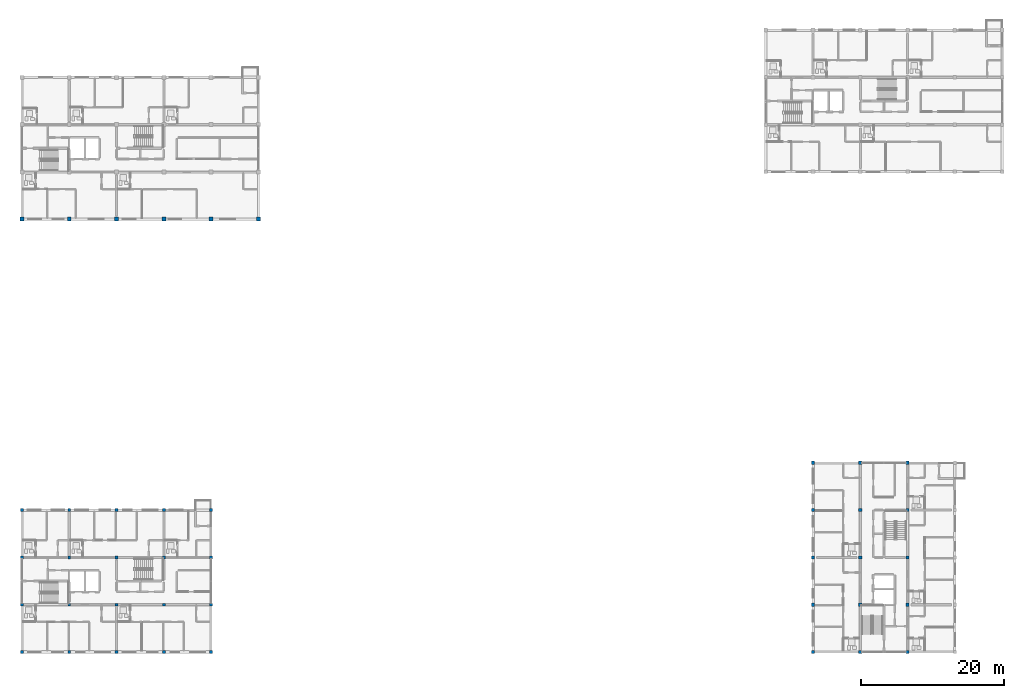
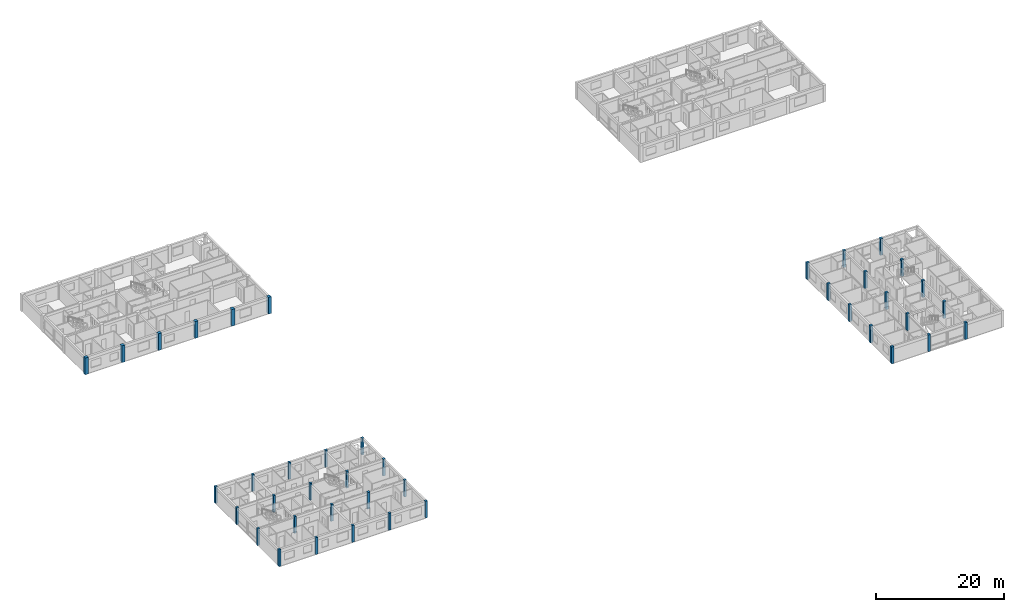
# One storey, part 1 of 45: 41 columns.
"""IFC4 building model written with IfcOpenShell, lengths in metres."""

from ifc_helpers import new_model, si_unit, direction, frame, origin, origin_2d, place, context, subcontext, project, spatial, rectangle, extrude, material, material_profile, profile_set, type_object, element, save


model = new_model("IFC4")

# Units and contexts
model_context = context("Model", 3, precision=1e-05, world=origin(), true_north=direction((0.0, 1.0)))
body_context = subcontext(model_context, "Body", "Model", "MODEL_VIEW")
ifc_project = project(units=[si_unit("LENGTHUNIT", "METRE"), si_unit("AREAUNIT", "SQUARE_METRE"), si_unit("VOLUMEUNIT", "CUBIC_METRE"), si_unit("PLANEANGLEUNIT", "RADIAN"), si_unit("MASSUNIT", "GRAM", prefix="KILO")], contexts=[model_context])

# Site, building, storey
site_placement = place(None, origin())
site = spatial("IfcSite", under=ifc_project, at=site_placement, CompositionType="ELEMENT")
building_placement = place(site_placement, origin())
building = spatial("IfcBuilding", under=site, at=building_placement, Name="Kernevlak Ridge Housing Community", CompositionType="ELEMENT")
storey_placement = place(building_placement, frame((0.0, 0.0, 14.800048828125)))
storey = spatial("IfcBuildingStorey", under=building, at=storey_placement, Name="L04", CompositionType="ELEMENT", Elevation=14.800048828125)

# Columns
ifc_material_1 = material(Name="Concrete C40/50", Category="concrete")
ifc_material_profile_1 = material_profile(ifc_material_1, rectangle(XDim=0.550048828125, YDim=0.550048828125, at=origin_2d()), Name="RC 550x550")
ifc_profile_set_1 = profile_set([ifc_material_profile_1], Name="Concrete C40/50")
column_type_1 = type_object("IfcColumnType", Name="C-02", PredefinedType="COLUMN", material=ifc_profile_set_1)
for number, where, z_axis, x_axis, name in (
    (1, (15.60009765625, 76.0, 0.0), (0.0, 0.0, 1.0), (1.0, 0.0, 0.0), "Column C-02 COL-A-L04-00-0"),
    (2, (22.199951171875, 76.0, 0.0), (0.0, 0.0, 1.0), (1.0, 0.0, 0.0), "Column C-02 COL-A-L04-01-0"),
    (3, (28.800048828125, 76.0, 0.0), (0.0, 0.0, 1.0), (1.0, 0.0, 0.0), "Column C-02 COL-A-L04-02-0"),
    (4, (35.39990234375, 76.0, 0.0), (0.0, 0.0, 1.0), (1.0, 0.0, 0.0), "Column C-02 COL-A-L04-03-0"),
    (5, (42.0, 76.0, 0.0), (0.0, 0.0, 1.0), (1.0, 0.0, 0.0), "Column C-02 COL-A-L04-04-0"),
    (6, (48.60009765625, 76.0, 0.0), (0.0, 0.0, 1.0), (1.0, 0.0, 0.0), "Column C-02 COL-A-L04-05-0"),
):
    element("IfcColumn", number, at=place(storey_placement, frame(where, z_axis=z_axis, x_axis=x_axis)), inside=storey, type_object=column_type_1, Name=name, PredefinedType="COLUMN", context=body_context, shape_type="SweptSolid", body=[
        extrude(rectangle(XDim=0.550048828125, YDim=0.550048828125, at=origin_2d()), origin(), (0.0, 0.0, 1.0), 3.199951171875),
    ])
ifc_material_2 = material(Name="Concrete C35/45", Category="concrete")
ifc_material_profile_2 = material_profile(ifc_material_2, rectangle(XDim=0.449951171875, YDim=0.449951171875, at=origin_2d()), Name="RC 450x450")
ifc_profile_set_2 = profile_set([ifc_material_profile_2], Name="Concrete C35/45")
column_type_2 = type_object("IfcColumnType", Name="C-04", PredefinedType="COLUMN", material=ifc_profile_set_2)
for number, where, z_axis, x_axis, name in (
    (7, (126.0, 15.60009765625, 0.0), (0.0, 0.0, 1.0), (1.0, 0.0, 0.0), "Column C-04 COL-C-L04-00-0"),
    (8, (132.60009765625, 15.60009765625, 0.0), (0.0, 0.0, 1.0), (1.0, 0.0, 0.0), "Column C-04 COL-C-L04-00-1"),
    (9, (139.199951171875, 15.60009765625, 0.0), (0.0, 0.0, 1.0), (1.0, 0.0, 0.0), "Column C-04 COL-C-L04-00-2"),
    (10, (126.0, 22.199951171875, 0.0), (0.0, 0.0, 1.0), (1.0, 0.0, 0.0), "Column C-04 COL-C-L04-01-0"),
    (11, (132.60009765625, 22.199951171875, 0.0), (0.0, 0.0, 1.0), (1.0, 0.0, 0.0), "Column C-04 COL-C-L04-01-1"),
    (12, (139.199951171875, 22.199951171875, 0.0), (0.0, 0.0, 1.0), (1.0, 0.0, 0.0), "Column C-04 COL-C-L04-01-2"),
    (13, (126.0, 28.800048828125, 0.0), (0.0, 0.0, 1.0), (1.0, 0.0, 0.0), "Column C-04 COL-C-L04-02-0"),
    (14, (132.60009765625, 28.800048828125, 0.0), (0.0, 0.0, 1.0), (1.0, 0.0, 0.0), "Column C-04 COL-C-L04-02-1"),
    (15, (139.199951171875, 28.800048828125, 0.0), (0.0, 0.0, 1.0), (1.0, 0.0, 0.0), "Column C-04 COL-C-L04-02-2"),
    (16, (126.0, 35.39990234375, 0.0), (0.0, 0.0, 1.0), (1.0, 0.0, 0.0), "Column C-04 COL-C-L04-03-0"),
    (17, (132.60009765625, 35.39990234375, 0.0), (0.0, 0.0, 1.0), (1.0, 0.0, 0.0), "Column C-04 COL-C-L04-03-1"),
    (18, (139.199951171875, 35.39990234375, 0.0), (0.0, 0.0, 1.0), (1.0, 0.0, 0.0), "Column C-04 COL-C-L04-03-2"),
    (19, (126.0, 42.0, 0.0), (0.0, 0.0, 1.0), (1.0, 0.0, 0.0), "Column C-04 COL-C-L04-04-0"),
    (20, (132.60009765625, 42.0, 0.0), (0.0, 0.0, 1.0), (1.0, 0.0, 0.0), "Column C-04 COL-C-L04-04-1"),
    (21, (139.199951171875, 42.0, 0.0), (0.0, 0.0, 1.0), (1.0, 0.0, 0.0), "Column C-04 COL-C-L04-04-2"),
):
    element("IfcColumn", number, at=place(storey_placement, frame(where, z_axis=z_axis, x_axis=x_axis)), inside=storey, type_object=column_type_2, Name=name, PredefinedType="COLUMN", context=body_context, shape_type="SweptSolid", body=[
        extrude(rectangle(XDim=0.449951171875, YDim=0.449951171875, at=origin_2d()), origin(), (0.0, 0.0, 1.0), 3.199951171875),
    ])
ifc_material_profile_3 = material_profile(ifc_material_2, rectangle(XDim=0.39990234375, YDim=0.39990234375, at=origin_2d()), Name="RC 400x400")
ifc_profile_set_3 = profile_set([ifc_material_profile_3], Name="Concrete C35/45")
column_type_3 = type_object("IfcColumnType", Name="C-05", PredefinedType="COLUMN", material=ifc_profile_set_3)
for number, where, z_axis, x_axis, name in (
    (22, (15.60009765625, 15.60009765625, 0.0), (0.0, 0.0, 1.0), (1.0, 0.0, 0.0), "Column C-05 COL-D-L04-00-0"),
    (23, (15.60009765625, 22.199951171875, 0.0), (0.0, 0.0, 1.0), (1.0, 0.0, 0.0), "Column C-05 COL-D-L04-00-1"),
    (24, (15.60009765625, 28.800048828125, 0.0), (0.0, 0.0, 1.0), (1.0, 0.0, 0.0), "Column C-05 COL-D-L04-00-2"),
    (25, (15.60009765625, 35.39990234375, 0.0), (0.0, 0.0, 1.0), (1.0, 0.0, 0.0), "Column C-05 COL-D-L04-00-3"),
    (26, (22.199951171875, 15.60009765625, 0.0), (0.0, 0.0, 1.0), (1.0, 0.0, 0.0), "Column C-05 COL-D-L04-01-0"),
    (27, (22.199951171875, 22.199951171875, 0.0), (0.0, 0.0, 1.0), (1.0, 0.0, 0.0), "Column C-05 COL-D-L04-01-1"),
    (28, (22.199951171875, 28.800048828125, 0.0), (0.0, 0.0, 1.0), (1.0, 0.0, 0.0), "Column C-05 COL-D-L04-01-2"),
    (29, (22.199951171875, 35.39990234375, 0.0), (0.0, 0.0, 1.0), (1.0, 0.0, 0.0), "Column C-05 COL-D-L04-01-3"),
    (30, (28.800048828125, 15.60009765625, 0.0), (0.0, 0.0, 1.0), (1.0, 0.0, 0.0), "Column C-05 COL-D-L04-02-0"),
    (31, (28.800048828125, 22.199951171875, 0.0), (0.0, 0.0, 1.0), (1.0, 0.0, 0.0), "Column C-05 COL-D-L04-02-1"),
    (32, (28.800048828125, 28.800048828125, 0.0), (0.0, 0.0, 1.0), (1.0, 0.0, 0.0), "Column C-05 COL-D-L04-02-2"),
    (33, (28.800048828125, 35.39990234375, 0.0), (0.0, 0.0, 1.0), (1.0, 0.0, 0.0), "Column C-05 COL-D-L04-02-3"),
    (34, (35.39990234375, 15.60009765625, 0.0), (0.0, 0.0, 1.0), (1.0, 0.0, 0.0), "Column C-05 COL-D-L04-03-0"),
    (35, (35.39990234375, 22.199951171875, 0.0), (0.0, 0.0, 1.0), (1.0, 0.0, 0.0), "Column C-05 COL-D-L04-03-1"),
    (36, (35.39990234375, 28.800048828125, 0.0), (0.0, 0.0, 1.0), (1.0, 0.0, 0.0), "Column C-05 COL-D-L04-03-2"),
    (37, (35.39990234375, 35.39990234375, 0.0), (0.0, 0.0, 1.0), (1.0, 0.0, 0.0), "Column C-05 COL-D-L04-03-3"),
    (38, (42.0, 15.60009765625, 0.0), (0.0, 0.0, 1.0), (1.0, 0.0, 0.0), "Column C-05 COL-D-L04-04-0"),
    (39, (42.0, 22.199951171875, 0.0), (0.0, 0.0, 1.0), (1.0, 0.0, 0.0), "Column C-05 COL-D-L04-04-1"),
    (40, (42.0, 28.800048828125, 0.0), (0.0, 0.0, 1.0), (1.0, 0.0, 0.0), "Column C-05 COL-D-L04-04-2"),
    (41, (42.0, 35.39990234375, 0.0), (0.0, 0.0, 1.0), (1.0, 0.0, 0.0), "Column C-05 COL-D-L04-04-3"),
):
    element("IfcColumn", number, at=place(storey_placement, frame(where, z_axis=z_axis, x_axis=x_axis)), inside=storey, type_object=column_type_3, Name=name, PredefinedType="COLUMN", context=body_context, shape_type="SweptSolid", body=[
        extrude(rectangle(XDim=0.39990234375, YDim=0.39990234375, at=origin_2d()), origin(), (0.0, 0.0, 1.0), 3.199951171875),
    ])

save(model, "model.ifc")
